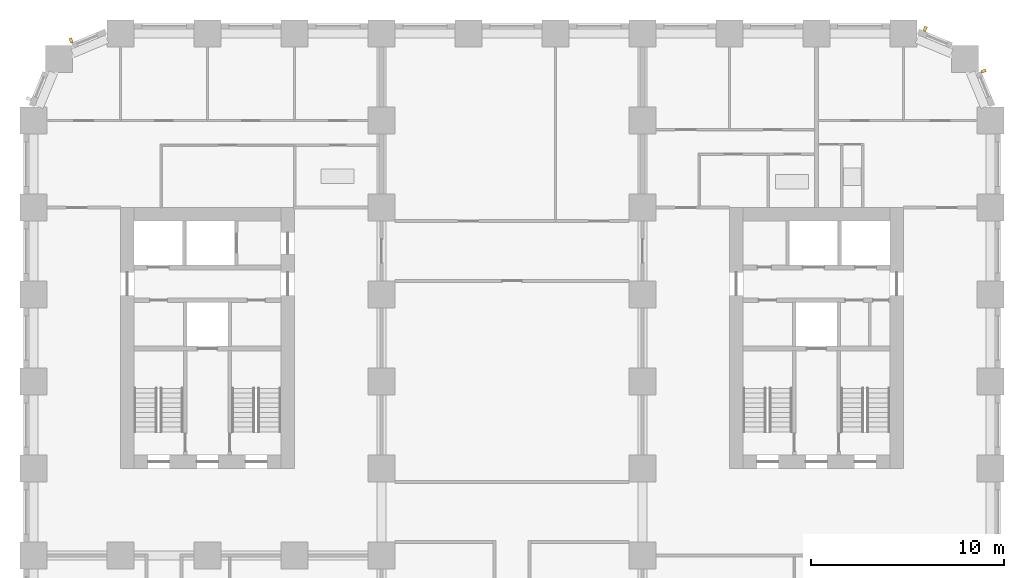
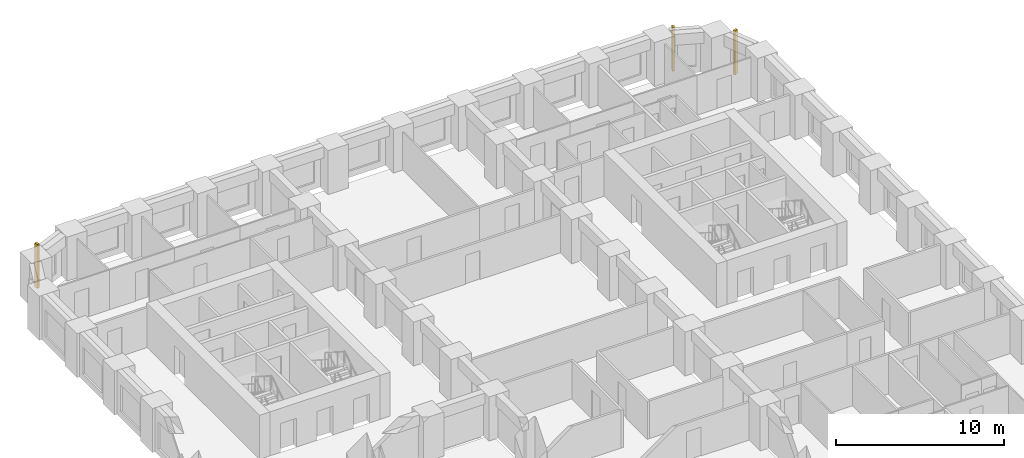
# One storey, part 11 of 12: 3 shading devices.
"""IFC4 building model written with IfcOpenShell, lengths in metres."""

from ifc_helpers import new_model, si_unit, direction, frame, origin, origin_2d, place, context, subcontext, project, spatial, rectangle, extrude, material, type_object, element, save


model = new_model("IFC4")

# Units and contexts
model_context = context("Model", 3, precision=1e-05, world=origin(), true_north=direction((0.0, 1.0)))
body_context = subcontext(model_context, "Body", "Model", "MODEL_VIEW")
ifc_project = project(units=[si_unit("LENGTHUNIT", "METRE"), si_unit("AREAUNIT", "SQUARE_METRE"), si_unit("VOLUMEUNIT", "CUBIC_METRE"), si_unit("PLANEANGLEUNIT", "RADIAN"), si_unit("MASSUNIT", "GRAM", prefix="KILO")], contexts=[model_context])

# Site, building, storey
site_placement = place(None, origin())
site = spatial("IfcSite", under=ifc_project, at=site_placement, CompositionType="ELEMENT")
building_placement = place(site_placement, origin())
building = spatial("IfcBuilding", under=site, at=building_placement, Name="Girih Gate Residences", CompositionType="ELEMENT")
storey_placement = place(building_placement, frame((0.0, 0.0, 65.60009765625)))
storey = spatial("IfcBuildingStorey", under=building, at=storey_placement, Name="L17", CompositionType="ELEMENT", Elevation=65.60009765625)

# Shading devices
ifc_material = material(Name="Precast concrete C50/60", Category="concrete")
shading_device_type = type_object("IfcShadingDeviceType", Name="Corner rib 150x250", PredefinedType="USERDEFINED", material=ifc_material)
for number, where, z_axis, x_axis, name in (
    (1, (49.14501953125, 47.5556640625, 0.0), (0.0, 0.0, 1.0), (-0.382683432365, 0.923879532511, 0.0), "Corner rib NE0495_0450.0"),
    (2, (46.123779296875, 49.738037109375, 0.0), (0.0, 0.0, 1.0), (-0.923879532511, 0.382683432365, 0.0), "Corner rib NE0482_0482.0"),
    (3, (1.9443359375, 49.14501953125, 0.0), (0.0, 0.0, 1.0), (-0.923879532511, -0.382683432365, 0.0), "Corner rib NW0045_0495.0"),
):
    element("IfcShadingDevice", number, at=place(storey_placement, frame(where, z_axis=z_axis, x_axis=x_axis)), inside=storey, type_object=shading_device_type, Name=name, ObjectType="FIN", PredefinedType="USERDEFINED", context=body_context, shape_type="SweptSolid", body=[
        extrude(rectangle(XDim=0.14990234375, YDim=0.25, at=origin_2d()), origin(), (0.0, 0.0, 1.0), 3.199951171875),
    ])

save(model, "model.ifc")
